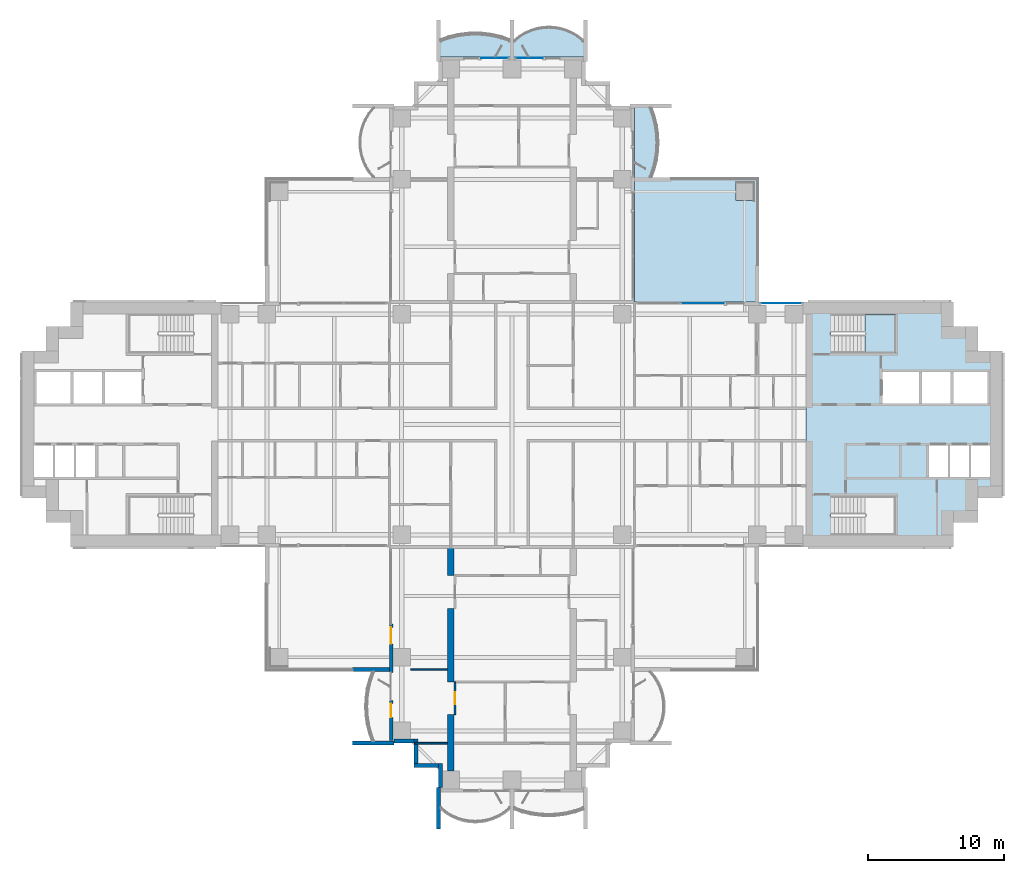
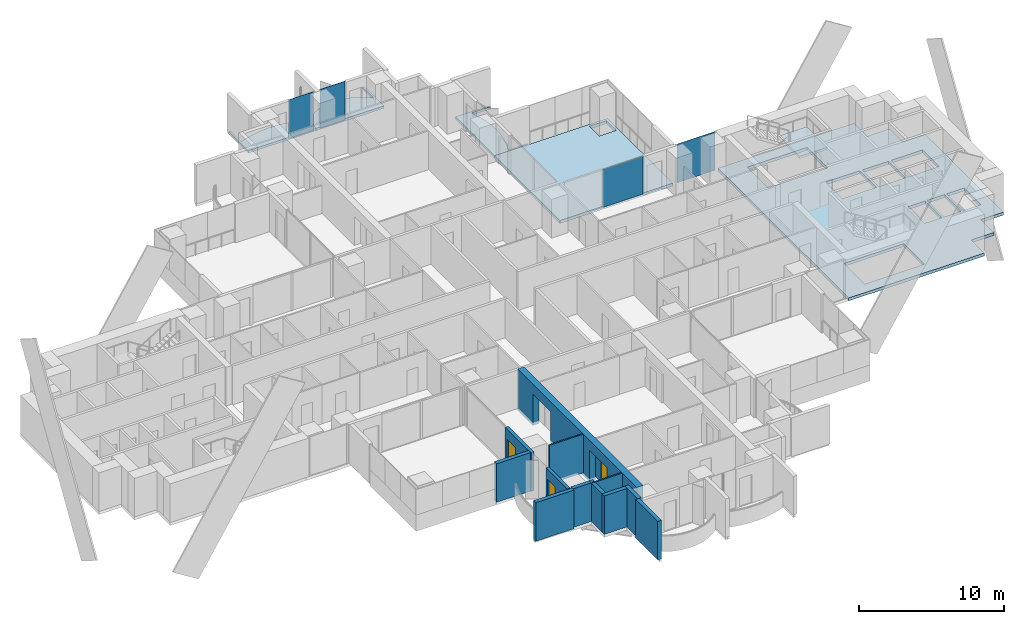
# One storey, part 10 of 21: 13 walls, 6 slabs, 4 plates, 3 doors, 3 openings, 5 elements without a shape of their own.
"""IFC4 building model written with IfcOpenShell, lengths in metres."""

from ifc_helpers import new_model, si_unit, direction, frame, frame_2d, origin, origin_2d, place, context, subcontext, project, spatial, polyline, rectangle, outline, extrude, material, layer, layer_set, material_profile, profile_set, type_object, element, fill, aggregate, save


model = new_model("IFC4")

# Units and contexts
model_context = context("Model", 3, precision=1e-05, world=origin(), true_north=direction((0.0, 1.0)))
body_context = subcontext(model_context, "Body", "Model", "MODEL_VIEW")
ifc_project = project(units=[si_unit("LENGTHUNIT", "METRE"), si_unit("AREAUNIT", "SQUARE_METRE"), si_unit("VOLUMEUNIT", "CUBIC_METRE"), si_unit("PLANEANGLEUNIT", "RADIAN"), si_unit("MASSUNIT", "GRAM", prefix="KILO")], contexts=[model_context])

# Site, building, storey
site_placement = place(None, origin())
site = spatial("IfcSite", under=ifc_project, at=site_placement, CompositionType="ELEMENT")
building_placement = place(site_placement, origin())
building = spatial("IfcBuilding", under=site, at=building_placement, Name="Perihelion Cross Residences", CompositionType="ELEMENT")
storey_placement = place(building_placement, frame((0.0, 0.0, 75.0)))
storey = spatial("IfcBuildingStorey", under=building, at=storey_placement, Name="L16", CompositionType="ELEMENT", Elevation=75.0)

# Slabs
ifc_material_1 = material(Name="Concrete C40/50", Category="concrete")
ifc_layer_1 = layer(ifc_material_1, 0.199951171875)
ifc_layer_set_1 = layer_set([ifc_layer_1], Name="Balcony slab 200")
slab_type_1 = type_object("IfcSlabType", Name="Balcony slab 200", PredefinedType="FLOOR", material=ifc_layer_set_1)
slab_1_placement = place(storey_placement, frame((0.0, 0.0, -0.199951171875)))
element("IfcSlab", 1, at=slab_1_placement, inside=storey, type_object=slab_type_1, Name="Slab BK1 L16 north side east bay 2 balcony", PredefinedType="FLOOR", context=body_context, shape_type="SweptSolid", body=[
    extrude(outline(polyline([(9.0, 18.0), (9.0, 23.39990234375), (11.699951171875, 23.39990234375), (11.699951171875, 23.25), (10.199951171875, 23.25), (10.423583984375, 22.612548828125), (10.57861328125, 21.97509765625), (10.669921875, 21.33740234375), (10.699951171875, 20.699951171875), (10.669921875, 20.0625), (10.57861328125, 19.425048828125), (10.423583984375, 18.78759765625), (10.199951171875, 18.14990234375), (11.699951171875, 18.14990234375), (11.699951171875, 18.0), (9.0, 18.0)])), origin(), (0.0, 0.0, 1.0), 0.199951171875),
])
slab_2_placement = place(storey_placement, frame((0.0, 0.0, -0.199951171875)))
element("IfcSlab", 2, at=slab_2_placement, inside=storey, type_object=slab_type_1, Name="Slab BK1 L16 north tip north bay 1 balcony", PredefinedType="FLOOR", context=body_context, shape_type="SweptSolid", body=[
    extrude(outline(polyline([(5.39990234375, 27.0), (0.0, 27.0), (0.0, 29.699951171875), (0.14990234375, 29.699951171875), (0.14990234375, 28.199951171875), (0.574951171875, 28.5400390625), (1.0, 28.792724609375), (1.425048828125, 28.9765625), (1.85009765625, 29.1025390625), (2.27490234375, 29.17578125), (2.699951171875, 29.199951171875), (3.125, 29.17578125), (3.550048828125, 29.1025390625), (3.97509765625, 28.9765625), (4.39990234375, 28.792724609375), (4.824951171875, 28.5400390625), (5.25, 28.199951171875), (5.25, 29.699951171875), (5.39990234375, 29.699951171875), (5.39990234375, 27.0)])), origin(), (0.0, 0.0, 1.0), 0.199951171875),
])
slab_3_placement = place(storey_placement, frame((0.0, 0.0, -0.199951171875)))
element("IfcSlab", 3, at=slab_3_placement, inside=storey, type_object=slab_type_1, Name="Slab BK1 L16 north tip north bay 2 balcony", PredefinedType="FLOOR", context=body_context, shape_type="SweptSolid", body=[
    extrude(outline(polyline([(0.0, 27.0), (-5.39990234375, 27.0), (-5.39990234375, 29.699951171875), (-5.25, 29.699951171875), (-5.25, 28.199951171875), (-4.612548828125, 28.423583984375), (-3.97509765625, 28.57861328125), (-3.33740234375, 28.669921875), (-2.699951171875, 28.699951171875), (-2.0625, 28.669921875), (-1.425048828125, 28.57861328125), (-0.78759765625, 28.423583984375), (-0.14990234375, 28.199951171875), (-0.14990234375, 29.699951171875), (0.0, 29.699951171875), (0.0, 27.0)])), origin(), (0.0, 0.0, 1.0), 0.199951171875),
])

# Curtain wall, plate
ifc_material_2 = material(Name="Bronze anodised aluminium, tinted glazing", Category="aluminium")
curtain_wall_type = type_object("IfcCurtainWallType", Name="CW1", PredefinedType="NOTDEFINED", material=ifc_material_2)
curtain_wall_1_placement = place(storey_placement, origin())
curtain_wall_1 = element("IfcCurtainWall", 4, at=curtain_wall_1_placement, inside=storey, type_object=curtain_wall_type, Name="Curtain wall CW1 L16 east side north bay 1", PredefinedType="NOTDEFINED")
ifc_material_3 = material(Name="Tinted laminated glass", Category="glass")
ifc_layer_2 = layer(ifc_material_3, 0.028076171875)
ifc_layer_set_2 = layer_set([ifc_layer_2], Name="CW1 panel")
plate_type = type_object("IfcPlateType", Name="CW1 panel", PredefinedType="CURTAIN_PANEL", material=ifc_layer_set_2)
plate_1_placement = place(storey_placement, frame((19.77490234375, 8.89990234375, 0.0), z_axis=(0.0, 0.0, 1.0), x_axis=(-1.0, 0.0, 0.0)))
plate_1 = element("IfcPlate", 5, at=plate_1_placement, type_object=plate_type, Name="CW1 panel 1", PredefinedType="CURTAIN_PANEL", context=body_context, shape_type="SweptSolid", body=[
    extrude(rectangle(XDim=3.030029296875, YDim=0.028076171875, at=origin_2d()), origin(), (0.0, 0.0, 1.0), 3.25),
])
aggregate(curtain_wall_1, [plate_1])

curtain_wall_2_placement = place(storey_placement, origin())
curtain_wall_2 = element("IfcCurtainWall", 6, at=curtain_wall_2_placement, inside=storey, type_object=curtain_wall_type, Name="Curtain wall CW1 L16 east side north bay 2", PredefinedType="NOTDEFINED")
plate_2_placement = place(storey_placement, frame((13.9775390625, 8.89990234375, 0.0), z_axis=(0.0, 0.0, 1.0), x_axis=(-1.0, 0.0, 0.0)))
plate_2 = element("IfcPlate", 7, at=plate_2_placement, type_object=plate_type, Name="CW1 panel 1", PredefinedType="CURTAIN_PANEL", context=body_context, shape_type="SweptSolid", body=[
    extrude(rectangle(XDim=3.14501953125, YDim=0.028076171875, at=origin_2d()), origin(), (0.0, 0.0, 1.0), 3.18994140625),
])
aggregate(curtain_wall_2, [plate_2])

curtain_wall_3_placement = place(storey_placement, origin())
curtain_wall_3 = element("IfcCurtainWall", 8, at=curtain_wall_3_placement, inside=storey, type_object=curtain_wall_type, Name="Curtain wall CW1 L16 north tip north bay 1", PredefinedType="NOTDEFINED")
plate_3_placement = place(storey_placement, frame((1.2548828125, 26.89990234375, 0.0), z_axis=(0.0, 0.0, 1.0), x_axis=(-1.0, 0.0, 0.0)))
plate_3 = element("IfcPlate", 9, at=plate_3_placement, type_object=plate_type, Name="CW1 panel 1", PredefinedType="CURTAIN_PANEL", context=body_context, shape_type="SweptSolid", body=[
    extrude(rectangle(XDim=1.989990234375, YDim=0.028076171875, at=origin_2d()), origin(), (0.0, 0.0, 1.0), 3.25),
])
aggregate(curtain_wall_3, [plate_3])

curtain_wall_4_placement = place(storey_placement, origin())
curtain_wall_4 = element("IfcCurtainWall", 10, at=curtain_wall_4_placement, inside=storey, type_object=curtain_wall_type, Name="Curtain wall CW1 L16 north tip north bay 2", PredefinedType="NOTDEFINED")
plate_4_placement = place(storey_placement, frame((-1.2548828125, 26.89990234375, 0.0), z_axis=(0.0, 0.0, 1.0), x_axis=(-1.0, 0.0, 0.0)))
plate_4 = element("IfcPlate", 11, at=plate_4_placement, type_object=plate_type, Name="CW1 panel 1", PredefinedType="CURTAIN_PANEL", context=body_context, shape_type="SweptSolid", body=[
    extrude(rectangle(XDim=1.989990234375, YDim=0.028076171875, at=origin_2d()), origin(), (0.0, 0.0, 1.0), 3.25),
])
aggregate(curtain_wall_4, [plate_4])

# Slabs
ifc_material_4 = material(Name="Concrete C40/50", Category="concrete")
ifc_layer_3 = layer(ifc_material_4, 0.25)
ifc_layer_set_3 = layer_set([ifc_layer_3], Name="Core floor slab 250")
slab_type_2 = type_object("IfcSlabType", Name="Core floor slab 250", PredefinedType="FLOOR", material=ifc_layer_set_3)
slab_4_placement = place(storey_placement, frame((0.0, 0.0, -0.25)))
element("IfcSlab", 12, at=slab_4_placement, inside=storey, type_object=slab_type_2, Name="East core floor slab", PredefinedType="FLOOR", context=body_context, shape_type="SweptSolid", body=[
    extrude(outline(polyline([(32.39990234375, 7.199951171875), (34.199951171875, 7.199951171875), (34.199951171875, 5.39990234375), (36.0, 5.39990234375), (36.0, -5.39990234375), (34.199951171875, -5.39990234375), (34.199951171875, -7.199951171875), (32.39990234375, -7.199951171875), (32.39990234375, -9.0), (21.60009765625, -9.0), (21.60009765625, 9.0), (32.39990234375, 9.0), (32.39990234375, 7.199951171875)]), holes=[polyline([(23.405029296875, -8.10009765625), (28.14990234375, -8.10009765625), (28.14990234375, -5.25), (23.405029296875, -5.25), (23.405029296875, -8.10009765625)]), polyline([(30.60009765625, -1.550048828125), (30.60009765625, -3.85009765625), (32.0, -3.85009765625), (32.0, -1.550048828125), (30.60009765625, -1.550048828125)]), polyline([(32.14990234375, -1.550048828125), (32.14990234375, -3.85009765625), (33.550048828125, -3.85009765625), (33.550048828125, -1.550048828125), (32.14990234375, -1.550048828125)]), polyline([(33.699951171875, -1.550048828125), (33.699951171875, -3.85009765625), (35.10009765625, -3.85009765625), (35.10009765625, -1.550048828125), (33.699951171875, -1.550048828125)]), polyline([(27.199951171875, 3.85009765625), (27.199951171875, 1.550048828125), (29.89990234375, 1.550048828125), (29.89990234375, 3.85009765625), (27.199951171875, 3.85009765625)]), polyline([(30.10009765625, 3.85009765625), (30.10009765625, 1.550048828125), (32.199951171875, 1.550048828125), (32.199951171875, 3.85009765625), (30.10009765625, 3.85009765625)]), polyline([(32.39990234375, 3.85009765625), (32.39990234375, 1.550048828125), (34.89990234375, 1.550048828125), (34.89990234375, 3.85009765625), (32.39990234375, 3.85009765625)]), polyline([(23.405029296875, 5.25), (28.14990234375, 5.25), (28.14990234375, 8.10009765625), (23.405029296875, 8.10009765625), (23.405029296875, 5.25)])]), origin(), (0.0, 0.0, 1.0), 0.25),
])
ifc_material_5 = material(Name="Concrete C40/50", Category="concrete")
ifc_layer_4 = layer(ifc_material_5, 0.25)
ifc_layer_set_4 = layer_set([ifc_layer_4], Name="Corner terrace slab")
slab_type_3 = type_object("IfcSlabType", Name="Corner terrace slab", PredefinedType="FLOOR", material=ifc_layer_set_4)
slab_5_placement = place(storey_placement, frame((0.0, 0.0, -0.25)))
element("IfcSlab", 13, at=slab_5_placement, inside=storey, type_object=slab_type_3, Name="Slab BK2 L16 pocket north-east", PredefinedType="FLOOR", context=body_context, shape_type="SweptSolid", body=[
    extrude(outline(polyline([(18.0, 9.0), (18.0, 18.0), (9.0, 18.0), (9.0, 9.0), (18.0, 9.0)]), holes=[polyline([(16.449951171875, 16.449951171875), (16.449951171875, 17.7900390625), (17.7900390625, 17.7900390625), (17.7900390625, 16.409912109375), (17.75, 16.409912109375), (17.75, 16.449951171875), (16.449951171875, 16.449951171875)])]), origin(), (0.0, 0.0, 1.0), 0.25),
])

# Stair, slab
ifc_material_6 = material(Name="Concrete C40/50", Category="concrete")
stair_type = type_object("IfcStairType", Name="Exit stair, half-turn", PredefinedType="HALF_TURN_STAIR", material=ifc_material_6)
stair_placement = place(storey_placement, origin())
stair = element("IfcStair", 14, at=stair_placement, inside=storey, type_object=stair_type, Name="L16 East core exit stair 1", PredefinedType="HALF_TURN_STAIR")
ifc_material_7 = material(Name="Concrete C40/50", Category="concrete")
ifc_layer_5 = layer(ifc_material_7, 0.199951171875)
ifc_layer_set_5 = layer_set([ifc_layer_5], Name="Exit stair landing 200")
slab_type_4 = type_object("IfcSlabType", Name="Exit stair landing 200", PredefinedType="LANDING", material=ifc_layer_set_5)
slab_6_placement = place(storey_placement, frame((0.0, 0.0, 1.550048828125)))
slab_6 = element("IfcSlab", 15, at=slab_6_placement, type_object=slab_type_4, Name="ST-E1 landing 1", PredefinedType="LANDING", context=body_context, shape_type="SweptSolid", body=[
    extrude(outline(polyline([(25.919921875, 5.25), (28.14990234375, 5.25), (28.14990234375, 8.10009765625), (25.919921875, 8.10009765625), (25.919921875, 5.25)])), origin(), (0.0, 0.0, 1.0), 0.199951171875),
])
aggregate(stair, [slab_6])

# Wall, opening, door
ifc_material_8 = material(Name="Concrete C30/37, bronze-clad", Category="concrete")
ifc_layer_6 = layer(ifc_material_8, 0.25)
ifc_layer_set_6 = layer_set([ifc_layer_6], Name="Bronze-clad pier wall 250")
wall_type_1 = type_object("IfcWallType", Name="Bronze-clad pier wall 250", PredefinedType="SOLIDWALL", material=ifc_layer_set_6)
wall_1_placement = place(storey_placement, frame((-8.875, -14.64990234375, 0.0), z_axis=(0.0, 0.0, 1.0), x_axis=(0.0, -1.0, 0.0)))
wall_1 = element("IfcWall", 16, at=wall_1_placement, inside=storey, type_object=wall_type_1, Name="Wall FW1 L16 south side west bay 1 pier", PredefinedType="SOLIDWALL", context=body_context, shape_type="SweptSolid", body=[
    extrude(rectangle(XDim=3.550048828125, YDim=0.25, at=frame_2d((1.77490234375, 0.0))), origin(), (0.0, 0.0, 1.0), 3.25),
])
opening_1_placement = place(wall_1_placement, frame((0.25, 0.0, 0.0)))
opening_1 = element("IfcOpeningElement", 17, at=opening_1_placement, cuts=wall_1, Name="Opening L16.E10", PredefinedType="OPENING", context=body_context, shape_type="SweptSolid", body=[
    extrude(rectangle(XDim=1.199951171875, YDim=2.39990234375, at=frame_2d((0.60009765625, 1.199951171875))), frame((0.0, 0.135009765625, 0.0), z_axis=(0.0, -1.0, 0.0), x_axis=(1.0, 0.0, 0.0)), (0.0, 0.0, 1.0), 0.27001953125),
])
ifc_material_9 = material(Name="Bronze anodised aluminium, glazed", Category="aluminium")
door_type_1 = type_object("IfcDoorType", Name="Balcony door 1200 x 2400", OperationType="NOTDEFINED", PredefinedType="DOOR", material=ifc_material_9)
door_1_placement = place(opening_1_placement, origin())
door_1 = element("IfcDoor", 18, at=door_1_placement, inside=storey, type_object=door_type_1, Name="Door L16.E10 south side west bay 1", OperationType="SINGLE_SWING_LEFT", OverallHeight=2.39990234375, OverallWidth=1.199951171875, PredefinedType="DOOR", context=body_context, shape_type="SweptSolid", body=[
    extrude(rectangle(XDim=1.199951171875, YDim=2.39990234375, at=frame_2d((0.60009765625, 1.199951171875))), frame((0.0, 0.02490234375, 0.0), z_axis=(0.0, -1.0, 0.0), x_axis=(1.0, 0.0, 0.0)), (0.0, 0.0, 1.0), 0.050048828125),
])
fill(opening_1, door_1)

wall_2_placement = place(storey_placement, frame((-8.875, -20.25, 0.0), z_axis=(0.0, 0.0, 1.0), x_axis=(0.0, -1.0, 0.0)))
wall_2 = element("IfcWall", 19, at=wall_2_placement, inside=storey, type_object=wall_type_1, Name="Wall FW1 L16 south side west bay 2 pier", PredefinedType="SOLIDWALL", context=body_context, shape_type="SweptSolid", body=[
    extrude(rectangle(XDim=2.949951171875, YDim=0.25, at=frame_2d((1.47509765625, 0.0))), origin(), (0.0, 0.0, 1.0), 3.25),
])
opening_2_placement = place(wall_2_placement, frame((0.25, 0.0, 0.0)))
opening_2 = element("IfcOpeningElement", 20, at=opening_2_placement, cuts=wall_2, Name="Opening L16.E11", PredefinedType="OPENING", context=body_context, shape_type="SweptSolid", body=[
    extrude(rectangle(XDim=1.0, YDim=2.39990234375, at=frame_2d((0.5, 1.199951171875))), frame((0.0, 0.135009765625, 0.0), z_axis=(0.0, -1.0, 0.0), x_axis=(1.0, 0.0, 0.0)), (0.0, 0.0, 1.0), 0.27001953125),
])
ifc_material_10 = material(Name="Bronze anodised aluminium, glazed", Category="aluminium")
door_type_2 = type_object("IfcDoorType", Name="Balcony door 1000 x 2400", OperationType="NOTDEFINED", PredefinedType="DOOR", material=ifc_material_10)
door_2_placement = place(opening_2_placement, origin())
door_2 = element("IfcDoor", 21, at=door_2_placement, inside=storey, type_object=door_type_2, Name="Door L16.E11 south side west bay 2", OperationType="SINGLE_SWING_RIGHT", OverallHeight=2.39990234375, OverallWidth=1.0, PredefinedType="DOOR", context=body_context, shape_type="SweptSolid", body=[
    extrude(rectangle(XDim=1.0, YDim=2.39990234375, at=frame_2d((0.5, 1.199951171875))), frame((0.0, 0.02490234375, 0.0), z_axis=(0.0, -1.0, 0.0), x_axis=(1.0, 0.0, 0.0)), (0.0, 0.0, 1.0), 0.050048828125),
])
fill(opening_2, door_2)

# Walls
ifc_material_11 = material(Name="Concrete C30/37, bronze-clad", Category="concrete")
ifc_layer_7 = layer(ifc_material_11, 0.300048828125)
ifc_layer_set_7 = layer_set([ifc_layer_7], Name="Bronze-clad serration wall 300")
wall_type_2 = type_object("IfcWallType", Name="Bronze-clad serration wall 300", PredefinedType="SOLIDWALL", material=ifc_layer_set_7)
wall_3_placement = place(storey_placement, frame((-8.64990234375, -23.25, 0.0), z_axis=(0.0, 0.0, 1.0), x_axis=(1.0, 0.0, 0.0)))
element("IfcWall", 22, at=wall_3_placement, inside=storey, type_object=wall_type_2, Name="Wall SR1 L16 south corner south-west 1", PredefinedType="SOLIDWALL", context=body_context, shape_type="SweptSolid", body=[
    extrude(rectangle(XDim=1.449951171875, YDim=0.300048828125, at=frame_2d((0.72509765625, 0.0))), origin(), (0.0, 0.0, 1.0), 3.25),
])
wall_4_placement = place(storey_placement, frame((-7.050048828125, -23.10009765625, 0.0), z_axis=(0.0, 0.0, 1.0), x_axis=(0.0, -1.0, 0.0)))
element("IfcWall", 23, at=wall_4_placement, inside=storey, type_object=wall_type_2, Name="Wall SR1 L16 south corner south-west 2", PredefinedType="SOLIDWALL", context=body_context, shape_type="SweptSolid", body=[
    extrude(rectangle(XDim=1.7998046875, YDim=0.300048828125, at=frame_2d((0.89990234375, 0.0))), origin(), (0.0, 0.0, 1.0), 3.25),
])
wall_5_placement = place(storey_placement, frame((-7.199951171875, -25.050048828125, 0.0), z_axis=(0.0, 0.0, 1.0), x_axis=(1.0, 0.0, 0.0)))
element("IfcWall", 24, at=wall_5_placement, inside=storey, type_object=wall_type_2, Name="Wall SR1 L16 south corner south-west 3", PredefinedType="SOLIDWALL", context=body_context, shape_type="SweptSolid", body=[
    extrude(rectangle(XDim=1.800048828125, YDim=0.300048828125, at=frame_2d((0.89990234375, 0.0))), origin(), (0.0, 0.0, 1.0), 3.25),
])
wall_6_placement = place(storey_placement, frame((-5.25, -24.89990234375, 0.0), z_axis=(0.0, 0.0, 1.0), x_axis=(0.0, -1.0, 0.0)))
element("IfcWall", 25, at=wall_6_placement, inside=storey, type_object=wall_type_2, Name="Wall SR1 L16 south corner south-west 4", PredefinedType="SOLIDWALL", context=body_context, shape_type="SweptSolid", body=[
    extrude(rectangle(XDim=1.75, YDim=0.300048828125, at=frame_2d((0.875, 0.0))), origin(), (0.0, 0.0, 1.0), 3.25),
])

# Wall, opening, door
ifc_material_12 = material(Name="Plasterboard partition")
ifc_layer_8 = layer(ifc_material_12, 0.1201171875)
ifc_layer_set_8 = layer_set([ifc_layer_8], Name="Infill panel 120")
wall_type_3 = type_object("IfcWallType", Name="Infill panel 120", PredefinedType="PARTITIONING", material=ifc_layer_set_8)
wall_7_placement = place(storey_placement, frame((-4.18994140625, -18.89990234375, 0.0), z_axis=(0.0, 0.0, 1.0), x_axis=(0.0, -1.0, 0.0)))
wall_7 = element("IfcWall", 26, at=wall_7_placement, inside=storey, type_object=wall_type_3, Name="Partition L16 WI08", PredefinedType="PARTITIONING", context=body_context, shape_type="SweptSolid", body=[
    extrude(rectangle(XDim=2.400146484375, YDim=0.1201171875, at=frame_2d((1.2001953125, 0.0))), origin(), (0.0, 0.0, 1.0), 2.39990234375),
])
opening_3_placement = place(wall_7_placement, frame((0.75, 0.0, 0.0)))
opening_3 = element("IfcOpeningElement", 27, at=opening_3_placement, cuts=wall_7, Name="Opening L16.A57", PredefinedType="OPENING", context=body_context, shape_type="SweptSolid", body=[
    extrude(rectangle(XDim=0.89990234375, YDim=2.10009765625, at=frame_2d((0.449951171875, 1.050048828125))), frame((0.0, 0.070068359375, 0.0), z_axis=(0.0, -1.0, 0.0), x_axis=(1.0, 0.0, 0.0)), (0.0, 0.0, 1.0), 0.14013671875),
])
ifc_material_13 = material(Name="Timber door leaf", Category="wood")
door_type_3 = type_object("IfcDoorType", Name="Interior room door 900 x 2100", OperationType="SINGLE_SWING_LEFT", PredefinedType="DOOR", material=ifc_material_13)
door_3_placement = place(opening_3_placement, origin())
door_3 = element("IfcDoor", 28, at=door_3_placement, inside=storey, type_object=door_type_3, Name="Door L16.A57", OperationType="SINGLE_SWING_LEFT", OverallHeight=2.10009765625, OverallWidth=0.89990234375, PredefinedType="DOOR", context=body_context, shape_type="SweptSolid", body=[
    extrude(rectangle(XDim=0.89990234375, YDim=2.10009765625, at=frame_2d((0.449951171875, 1.050048828125))), frame((0.0, 0.02490234375, 0.0), z_axis=(0.0, -1.0, 0.0), x_axis=(1.0, 0.0, 0.0)), (0.0, 0.0, 1.0), 0.050048828125),
])
fill(opening_3, door_3)

# Walls
ifc_material_14 = material(Name="Plasterboard partition")
ifc_layer_9 = layer(ifc_material_14, 0.1201171875)
ifc_layer_set_9 = layer_set([ifc_layer_9], Name="Partition wall 120")
wall_type_4 = type_object("IfcWallType", Name="Partition wall 120", PredefinedType="PARTITIONING", material=ifc_layer_set_9)
wall_8_placement = place(storey_placement, frame((-4.75, -18.0, 0.0), z_axis=(0.0, 0.0, 1.0), x_axis=(-1.0, 0.0, 0.0)))
element("IfcWall", 29, at=wall_8_placement, inside=storey, type_object=wall_type_4, Name="Partition L16 W077", PredefinedType="PARTITIONING", context=body_context, shape_type="SweptSolid", body=[
    extrude(rectangle(XDim=2.699951171875, YDim=0.1201171875, at=frame_2d((1.35009765625, 0.0))), origin(), (0.0, 0.0, 1.0), 3.25),
])
wall_9_placement = place(storey_placement, frame((-4.75, -23.39990234375, 0.0), z_axis=(0.0, 0.0, 1.0), x_axis=(-1.0, 0.0, 0.0)))
element("IfcWall", 30, at=wall_9_placement, inside=storey, type_object=wall_type_4, Name="Partition L16 W078", PredefinedType="PARTITIONING", context=body_context, shape_type="SweptSolid", body=[
    extrude(rectangle(XDim=2.3701171875, YDim=0.1201171875, at=frame_2d((1.18505859375, 0.0))), origin(), (0.0, 0.0, 1.0), 3.25),
])
ifc_material_15 = material(Name="Precast concrete C50/60", Category="concrete")
ifc_layer_10 = layer(ifc_material_15, 0.300048828125)
ifc_layer_set_10 = layer_set([ifc_layer_10], Name="Precast concrete C50/60 blade wall 300")
wall_type_5 = type_object("IfcWallType", Name="Precast concrete C50/60 blade wall 300", PredefinedType="SOLIDWALL", material=ifc_layer_set_10)
wall_10_placement = place(storey_placement, frame((-8.64990234375, -23.39990234375, 0.0), z_axis=(0.0, 0.0, 1.0), x_axis=(-1.0, 0.0, 0.0)))
element("IfcWall", 31, at=wall_10_placement, inside=storey, type_object=wall_type_5, Name="Wall BL1 L16 no. 6", PredefinedType="SOLIDWALL", context=body_context, shape_type="SweptSolid", body=[
    extrude(rectangle(XDim=3.050048828125, YDim=0.300048828125, at=frame_2d((1.52490234375, 0.0))), origin(), (0.0, 0.0, 1.0), 3.25),
])
wall_11_placement = place(storey_placement, frame((-9.0, -18.0, 0.0), z_axis=(0.0, 0.0, 1.0), x_axis=(-1.0, 0.0, 0.0)))
element("IfcWall", 32, at=wall_11_placement, inside=storey, type_object=wall_type_5, Name="Wall BL1 L16 no. 5", PredefinedType="SOLIDWALL", context=body_context, shape_type="SweptSolid", body=[
    extrude(rectangle(XDim=2.699951171875, YDim=0.300048828125, at=frame_2d((1.35009765625, 0.0))), origin(), (0.0, 0.0, 1.0), 3.25),
])
wall_12_placement = place(storey_placement, frame((-5.39990234375, -26.64990234375, 0.0), z_axis=(0.0, 0.0, 1.0), x_axis=(0.0, -1.0, 0.0)))
element("IfcWall", 33, at=wall_12_placement, inside=storey, type_object=wall_type_5, Name="Wall BL1 L16 no. 3", PredefinedType="SOLIDWALL", context=body_context, shape_type="SweptSolid", body=[
    extrude(rectangle(XDim=3.050048828125, YDim=0.300048828125, at=frame_2d((1.52490234375, 0.0))), origin(), (0.0, 0.0, 1.0), 3.25),
])
ifc_material_16 = material(Name="Concrete C60/75", Category="concrete")
ifc_material_profile = material_profile(ifc_material_16, outline(polyline([(0.0, 0.0), (4.14990234375, 0.0), (4.14990234375, 2.64990234375), (6.550048828125, 2.64990234375), (6.550048828125, 0.0), (11.949951171875, 0.0), (11.949951171875, 2.64990234375), (14.35009765625, 2.64990234375), (14.35009765625, 0.0), (16.449951171875, 0.0), (16.449951171875, 3.5), (0.0, 3.5), (0.0, 0.0)])), Name="Tip spine wall")
ifc_profile_set = profile_set([ifc_material_profile], Name="Concrete C60/75")
wall_type_6 = type_object("IfcWallType", Name="Tip spine wall 500 with 2 door openings 16450 long 3500 high concrete C60/75 hand A", PredefinedType="SHEAR", material=ifc_profile_set)
wall_13_placement = place(storey_placement, frame((-4.75, -25.449951171875, -0.25), z_axis=(1.0, 0.0, 0.0), x_axis=(0.0, 1.0, 0.0)))
element("IfcWall", 34, at=wall_13_placement, inside=storey, type_object=wall_type_6, Name="Shear wall SW24 L16 south west", PredefinedType="SHEAR", context=body_context, shape_type="SweptSolid", body=[
    extrude(outline(polyline([(0.0, 0.0), (4.14990234375, 0.0), (4.14990234375, 2.64990234375), (6.550048828125, 2.64990234375), (6.550048828125, 0.0), (11.949951171875, 0.0), (11.949951171875, 2.64990234375), (14.35009765625, 2.64990234375), (14.35009765625, 0.0), (16.449951171875, 0.0), (16.449951171875, 3.5), (0.0, 3.5), (0.0, 0.0)])), origin(), (0.0, 0.0, 1.0), 0.5),
])

save(model, "model.ifc")
